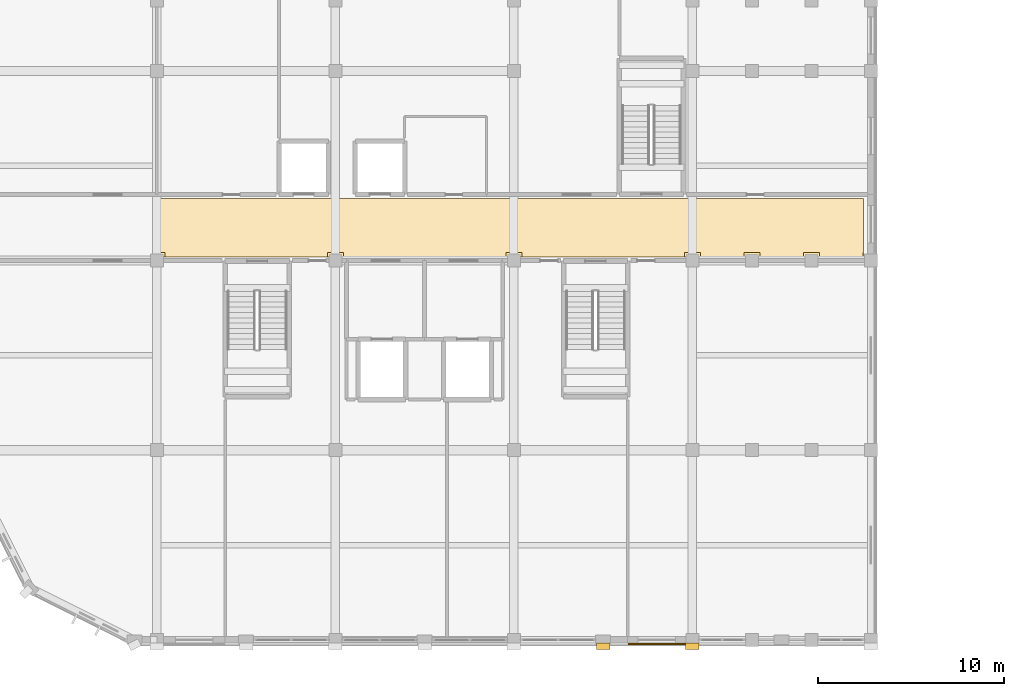
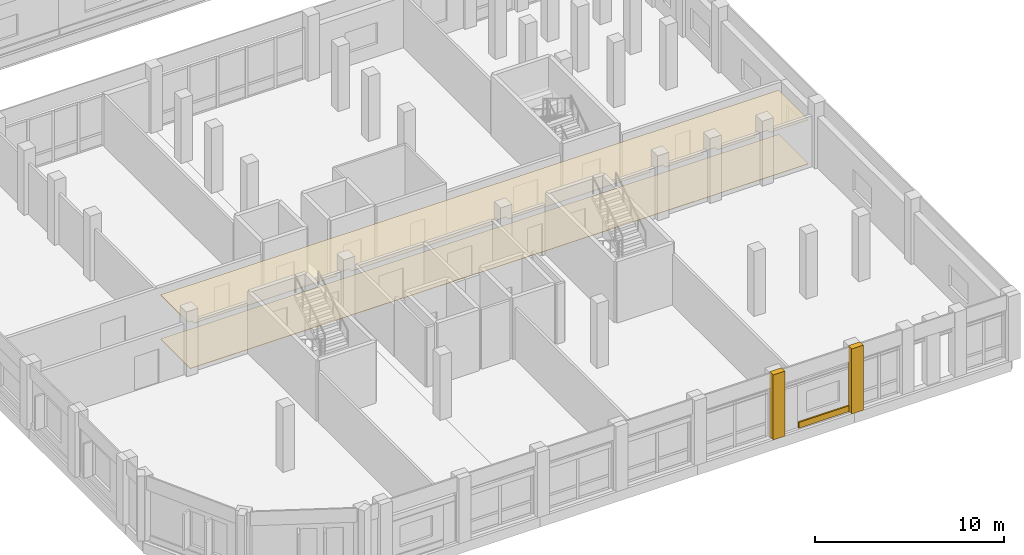
# One storey, part 172 of 185: 5 coverings.
"""IFC4 building model written with IfcOpenShell, lengths in metres."""

from ifc_helpers import new_model, si_unit, direction, frame, origin, origin_2d, place, context, subcontext, project, spatial, polyline, rectangle, outline, extrude, material, layer, layer_set, type_object, element, save


model = new_model("IFC4")

# Units and contexts
model_context = context("Model", 3, precision=1e-05, world=origin(), true_north=direction((0.0, 1.0)))
body_context = subcontext(model_context, "Body", "Model", "MODEL_VIEW")
ifc_project = project(units=[si_unit("LENGTHUNIT", "METRE"), si_unit("AREAUNIT", "SQUARE_METRE"), si_unit("VOLUMEUNIT", "CUBIC_METRE"), si_unit("PLANEANGLEUNIT", "RADIAN"), si_unit("MASSUNIT", "GRAM", prefix="KILO")], contexts=[model_context])

# Site, building, storey
site_placement = place(None, origin())
site = spatial("IfcSite", under=ifc_project, at=site_placement, CompositionType="ELEMENT")
building_placement = place(site_placement, origin())
building = spatial("IfcBuilding", under=site, at=building_placement, Name="Vondelvale Polytechnic", CompositionType="ELEMENT")
storey_placement = place(building_placement, frame((0.0, 0.0, 9.60009765625)))
storey = spatial("IfcBuildingStorey", under=building, at=storey_placement, Name="L02", CompositionType="ELEMENT", Elevation=9.60009765625)

# Coverings
ifc_material_1 = material(Name="Amsterdam School iron-spot clinker clay brickwork", Category="masonry")
ifc_layer_1 = layer(ifc_material_1, 0.090087890625)
ifc_layer_set_1 = layer_set([ifc_layer_1], Name="COV-BRICK-RELIEF")
covering_type_1 = type_object("IfcCoveringType", Name="COV-BRICK-RELIEF", PredefinedType="CLADDING", material=ifc_layer_set_1)
covering_1_placement = place(storey_placement, frame((36.487060546875, -0.216064453125, 0.0), z_axis=(0.0, 0.0, 1.0), x_axis=(-1.0, 0.0, 0.0)))
element("IfcCovering", 1, at=covering_1_placement, inside=storey, type_object=covering_type_1, Name="L02 exterior corbelled masonry relief band", PredefinedType="CLADDING", context=body_context, shape_type="SweptSolid", body=[
    extrude(rectangle(XDim=3.06396484375, YDim=0.090087890625, at=origin_2d()), origin(), (0.0, 0.0, 1.0), 0.3798828125),
])
for number, where, z_axis, x_axis, name in (
    (2, (33.60009765625, -0.340087890625, 0.0), (0.0, 0.0, 1.0), (1.0, 0.0, 0.0), "L02 Classical street pilaster"),
    (3, (38.39990234375, -0.340087890625, 0.0), (0.0, 0.0, 1.0), (1.0, 0.0, 0.0), "L02 Classical street pilaster"),
):
    element("IfcCovering", number, at=place(storey_placement, frame(where, z_axis=z_axis, x_axis=x_axis)), inside=storey, type_object=covering_type_1, Name=name, PredefinedType="CLADDING", context=body_context, shape_type="SweptSolid", body=[
        extrude(rectangle(XDim=0.719970703125, YDim=0.360107421875, at=origin_2d()), origin(), (0.0, 0.0, 1.0), 4.199951171875),
    ])
ifc_material_2 = material(Name="Perforated acoustic mineral-fibre and timber-batten ceiling", Category="wood")
ifc_layer_2 = layer(ifc_material_2, 0.030029296875)
ifc_layer_set_2 = layer_set([ifc_layer_2], Name="COV-CEIL-ACOUSTIC")
covering_type_2 = type_object("IfcCoveringType", Name="COV-CEIL-ACOUSTIC", PredefinedType="CEILING", material=ifc_layer_set_2)
covering_2_placement = place(storey_placement, frame((0.0, 0.0, 2.849853515625)))
element("IfcCovering", 4, at=covering_2_placement, inside=storey, type_object=covering_type_2, Name="L02 corridor acoustic baffle ceiling", PredefinedType="CEILING", context=body_context, shape_type="SweptSolid", body=[
    extrude(outline(polyline([(10.030029296875, 20.60009765625), (10.030029296875, 20.830078125), (9.800048828125, 20.830078125), (9.800048828125, 23.75), (47.60009765625, 23.75), (47.60009765625, 20.830078125), (47.570068359375, 20.830078125), (47.570068359375, 20.60009765625), (45.22998046875, 20.60009765625), (45.22998046875, 20.830078125), (44.3701171875, 20.830078125), (44.3701171875, 20.60009765625), (42.030029296875, 20.60009765625), (42.030029296875, 20.830078125), (41.169921875, 20.830078125), (41.169921875, 20.60009765625), (38.830078125, 20.60009765625), (38.830078125, 20.830078125), (37.969970703125, 20.830078125), (37.969970703125, 20.60009765625), (29.22998046875, 20.60009765625), (29.22998046875, 20.830078125), (28.3701171875, 20.830078125), (28.3701171875, 20.60009765625), (19.6298828125, 20.60009765625), (19.6298828125, 20.830078125), (18.77001953125, 20.830078125), (18.77001953125, 20.60009765625), (10.030029296875, 20.60009765625)])), origin(), (0.0, 0.0, 1.0), 0.030029296875),
])
ifc_material_3 = material(Name="Engineered Tasmanian oak studio and bridge joinery")
ifc_layer_3 = layer(ifc_material_3, 0.02197265625)
ifc_layer_set_3 = layer_set([ifc_layer_3], Name="COV-FLOOR-OAK")
covering_type_3 = type_object("IfcCoveringType", Name="COV-FLOOR-OAK", PredefinedType="FLOORING", material=ifc_layer_set_3)
covering_3_placement = place(storey_placement, origin())
element("IfcCovering", 5, at=covering_3_placement, inside=storey, type_object=covering_type_3, Name="L02 architectural floor finish", PredefinedType="FLOORING", context=body_context, shape_type="SweptSolid", body=[
    extrude(outline(polyline([(9.800048828125, 20.60009765625), (47.60009765625, 20.60009765625), (47.60009765625, 23.75), (9.800048828125, 23.75), (9.800048828125, 20.60009765625)])), origin(), (0.0, 0.0, 1.0), 0.02490234375),
])

save(model, "model.ifc")
